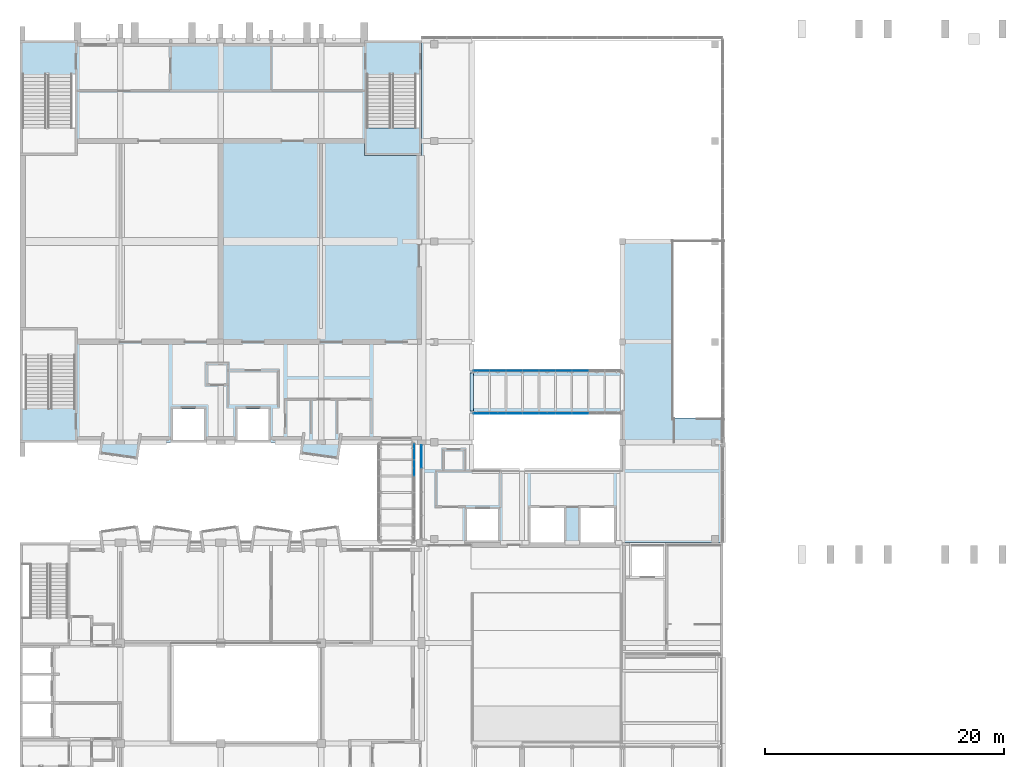
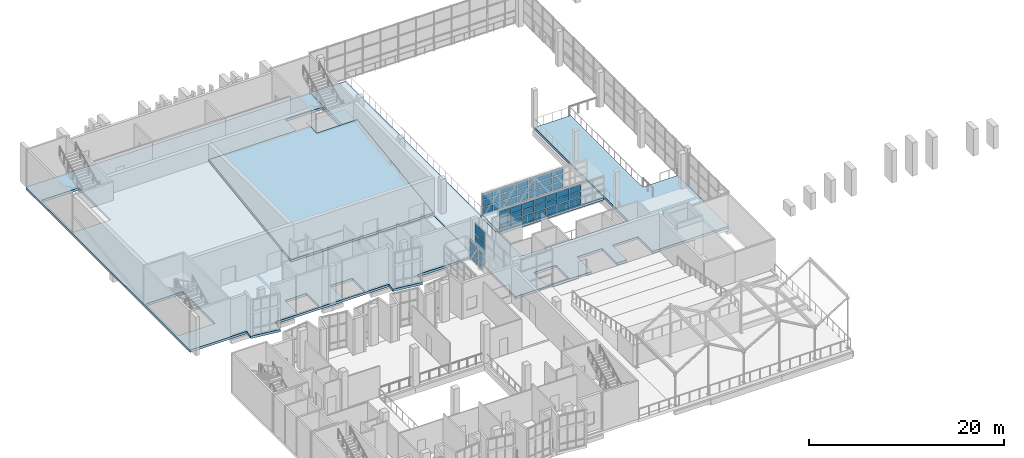
# One storey, part 33 of 67: 52 plates, 5 slabs, 5 elements without a shape of their own.
"""IFC4 building model written with IfcOpenShell, lengths in metres."""

from ifc_helpers import new_model, si_unit, direction, frame, origin, origin_2d, place, context, subcontext, project, spatial, polyline, rectangle, outline, extrude, material, layer, layer_set, type_object, element, aggregate, save


model = new_model("IFC4")

# Units and contexts
model_context = context("Model", 3, precision=1e-05, world=origin(), true_north=direction((0.0, 1.0)))
body_context = subcontext(model_context, "Body", "Model", "MODEL_VIEW")
ifc_project = project(units=[si_unit("LENGTHUNIT", "METRE"), si_unit("AREAUNIT", "SQUARE_METRE"), si_unit("VOLUMEUNIT", "CUBIC_METRE"), si_unit("PLANEANGLEUNIT", "RADIAN"), si_unit("MASSUNIT", "GRAM", prefix="KILO")], contexts=[model_context])

# Site, building, storey
site_placement = place(None, origin())
site = spatial("IfcSite", under=ifc_project, at=site_placement, CompositionType="ELEMENT")
building_placement = place(site_placement, origin())
building = spatial("IfcBuilding", under=site, at=building_placement, Name="Kiln Court Media Centre", CompositionType="ELEMENT")
storey_placement = place(building_placement, frame((0.0, 0.0, 19.800048828125)))
storey = spatial("IfcBuildingStorey", under=building, at=storey_placement, Name="L04", CompositionType="ELEMENT", Elevation=19.800048828125)

# Slabs
ifc_material_1 = material(Name="Concrete C30/37", Category="concrete")
ifc_layer_1 = layer(ifc_material_1, 0.300048828125)
ifc_layer_set_1 = layer_set([ifc_layer_1], Name="Concrete C30/37 bridge deck slab 300")
slab_type_1 = type_object("IfcSlabType", Name="Concrete C30/37 bridge deck slab 300", PredefinedType="FLOOR", material=ifc_layer_set_1)
slab_1_placement = place(storey_placement, frame((0.0, 0.0, -0.300048828125)))
element("IfcSlab", 1, at=slab_1_placement, inside=storey, type_object=slab_type_1, Name="bridge BR-L04-FOY-11 deck bridge deck slab", PredefinedType="FLOOR", context=body_context, shape_type="SweptSolid", body=[
    extrude(outline(polyline([(37.89990234375, 36.0), (50.300048828125, 36.0), (50.300048828125, 39.60009765625), (37.89990234375, 39.60009765625), (37.89990234375, 36.0)])), origin(), (0.0, 0.0, 1.0), 0.300048828125),
])
ifc_material_2 = material(Name="Concrete C30/37", Category="concrete")
ifc_layer_2 = layer(ifc_material_2, 0.300048828125)
ifc_layer_set_2 = layer_set([ifc_layer_2], Name="Concrete C30/37 floor slab 300")
slab_type_2 = type_object("IfcSlabType", Name="Concrete C30/37 floor slab 300", PredefinedType="FLOOR", material=ifc_layer_set_2)
slab_2_placement = place(storey_placement, frame((0.0, 0.0, -0.300048828125)))
element("IfcSlab", 2, at=slab_2_placement, inside=storey, type_object=slab_type_2, Name="L04-SL-1001", PredefinedType="FLOOR", context=body_context, shape_type="SweptSolid", body=[
    extrude(outline(polyline([(9.866943359375, 32.181396484375), (6.598876953125, 32.640869140625), (6.733154296875, 33.599609375), (0.0, 33.60009765625), (0.0, 67.199951171875), (33.60009765625, 67.199951171875), (33.60009765625, 33.60009765625), (26.86669921875, 33.599609375), (26.6669921875, 32.181396484375), (23.39892578125, 32.640869140625), (23.533203125, 33.599609375), (10.066650390625, 33.599609375), (9.866943359375, 32.181396484375)]), holes=[polyline([(12.800048828125, 33.800048828125), (15.39990234375, 33.800048828125), (15.39990234375, 36.39990234375), (12.800048828125, 36.39990234375), (12.800048828125, 33.800048828125)]), polyline([(18.199951171875, 33.800048828125), (20.800048828125, 33.800048828125), (20.800048828125, 36.39990234375), (18.199951171875, 36.39990234375), (18.199951171875, 33.800048828125)]), polyline([(0.199951171875, 36.43994140625), (4.60009765625, 36.43994140625), (4.60009765625, 43.0), (0.199951171875, 43.0), (0.199951171875, 36.43994140625)]), polyline([(0.199951171875, 57.800048828125), (4.60009765625, 57.800048828125), (4.60009765625, 64.360107421875), (0.199951171875, 64.360107421875), (0.199951171875, 57.800048828125)]), polyline([(29.0, 57.800048828125), (33.39990234375, 57.800048828125), (33.39990234375, 64.360107421875), (29.0, 64.360107421875), (29.0, 57.800048828125)])]), origin(), (0.0, 0.0, 1.0), 0.300048828125),
])
slab_3_placement = place(storey_placement, frame((0.0, 0.0, -0.300048828125)))
element("IfcSlab", 3, at=slab_3_placement, inside=storey, type_object=slab_type_2, Name="L04-SL-1002", PredefinedType="FLOOR", context=body_context, shape_type="SweptSolid", body=[
    extrude(outline(polyline([(33.60009765625, 25.199951171875), (33.60009765625, 67.199951171875), (37.800048828125, 67.199951171875), (37.800048828125, 31.199951171875), (50.39990234375, 31.199951171875), (50.39990234375, 50.39990234375), (54.64990234375, 50.39990234375), (54.64990234375, 35.639892578125), (58.800048828125, 35.639892578125), (58.800048828125, 25.199951171875), (49.800048828125, 25.199951171875), (49.800048828125, 28.199951171875), (46.800048828125, 28.199951171875), (46.800048828125, 25.199951171875), (45.60009765625, 25.199951171875), (45.60009765625, 28.199951171875), (42.60009765625, 28.199951171875), (42.60009765625, 25.199951171875), (33.60009765625, 25.199951171875)]), holes=[polyline([(37.39990234375, 25.39990234375), (40.0, 25.39990234375), (40.0, 28.0), (37.39990234375, 28.0), (37.39990234375, 25.39990234375)])]), origin(), (0.0, 0.0, 1.0), 0.300048828125),
])
ifc_material_3 = material(Name="Concrete C30/37", Category="concrete")
ifc_layer_3 = layer(ifc_material_3, 0.300048828125)
ifc_layer_set_3 = layer_set([ifc_layer_3], Name="Concrete C30/37 raked slab 300")
slab_type_3 = type_object("IfcSlabType", Name="Concrete C30/37 raked slab 300", PredefinedType="FLOOR", material=ifc_layer_set_3)
slab_4_placement = place(storey_placement, frame((16.800048828125, 42.0, 0.300048828125), z_axis=(-3.04345e-07, -0.138636440673, 0.990343343148), x_axis=(0.0, 0.990343343148, 0.138636440673)))
element("IfcSlab", 4, at=slab_4_placement, inside=storey, type_object=slab_type_3, Name="L04-SL-1016", PredefinedType="FLOOR", context=body_context, shape_type="SweptSolid", body=[
    extrude(outline(polyline([(0.0, 0.0), (16.963862623302024, -1.0587911840678754e-22), (16.963862623301395, -11.999999999999446), (15.752212378488078, -12.000000000002494), (15.752212378487826, -16.800048828127277), (-8.806321262848273e-13, -16.800048828124226), (0.0, 0.0)])), origin(), (0.0, 0.0, -1.0), 0.300048828125),
])

# Stair, slab
ifc_material_4 = material(Name="Concrete C40/50", Category="concrete")
stair_type = type_object("IfcStairType", Name="Concrete C40/50 dog-leg stair 2000 wide, 150 riser", PredefinedType="HALF_TURN_STAIR", material=ifc_material_4)
stair_placement = place(storey_placement, origin())
stair = element("IfcStair", 5, at=stair_placement, inside=storey, type_object=stair_type, Name="ST-08 L04", PredefinedType="HALF_TURN_STAIR")
ifc_material_5 = material(Name="Concrete C40/50", Category="concrete")
ifc_layer_4 = layer(ifc_material_5, 0.199951171875)
ifc_layer_set_4 = layer_set([ifc_layer_4], Name="Concrete C40/50 stair landing 200")
slab_type_4 = type_object("IfcSlabType", Name="Concrete C40/50 stair landing 200", PredefinedType="LANDING", material=ifc_layer_set_4)
slab_5_placement = place(storey_placement, frame((0.0, 0.0, 2.199951171875)))
slab_5 = element("IfcSlab", 6, at=slab_5_placement, type_object=slab_type_4, Name="L04-ST-5005 landing 5005", PredefinedType="LANDING", context=body_context, shape_type="SweptSolid", body=[
    extrude(outline(polyline([(28.8798828125, 59.89990234375), (28.8798828125, 57.679931640625), (33.52001953125, 57.679931640625), (33.52001953125, 59.89990234375), (28.8798828125, 59.89990234375)])), origin(), (0.0, 0.0, 1.0), 0.199951171875),
])
aggregate(stair, [slab_5])

# Curtain wall, plates
ifc_material_6 = material(Name="Aluminium 6063-T6", Category="aluminium")
ifc_layer_5 = layer(ifc_material_6, 0.1201171875)
ifc_layer_set_5 = layer_set([ifc_layer_5], Name="Aluminium unitised curtain wall, bridge")
curtain_wall_type_1 = type_object("IfcCurtainWallType", Name="Aluminium unitised curtain wall, bridge", PredefinedType="USERDEFINED", material=ifc_layer_set_5)
curtain_wall_1_placement = place(storey_placement, origin())
curtain_wall_1 = element("IfcCurtainWall", 7, at=curtain_wall_1_placement, inside=storey, type_object=curtain_wall_type_1, Name="BR-2 side glazing", ObjectType="UNITISED CURTAIN WALL", PredefinedType="USERDEFINED")
ifc_material_7 = material(Name="Aluminium insulated spandrel", Category="aluminium")
ifc_layer_6 = layer(ifc_material_7, 0.028076171875)
ifc_layer_set_6 = layer_set([ifc_layer_6], Name="Insulated aluminium spandrel panel 28")
plate_type_1 = type_object("IfcPlateType", Name="Insulated aluminium spandrel panel 28", PredefinedType="CURTAIN_PANEL", material=ifc_layer_set_6)
plate_1_placement = place(storey_placement, frame((32.985107421875, 31.449951171875, 0.099853515625), z_axis=(0.0, 0.0, 1.0), x_axis=(0.0, 1.0, 0.0)))
plate_1 = element("IfcPlate", 8, at=plate_1_placement, type_object=plate_type_1, Name="CW4-66 panel 5.1", PredefinedType="CURTAIN_PANEL", context=body_context, shape_type="SweptSolid", body=[
    extrude(rectangle(XDim=1.316650390625, YDim=0.028076171875, at=origin_2d()), origin(), (0.0, 0.0, 1.0), 0.74169921875),
])
plate_2_placement = place(storey_placement, frame((32.985107421875, 31.449951171875, 1.833251953125), z_axis=(0.0, 0.0, 1.0), x_axis=(0.0, 1.0, 0.0)))
plate_2 = element("IfcPlate", 9, at=plate_2_placement, type_object=plate_type_1, Name="CW4-66 panel 5.3", PredefinedType="CURTAIN_PANEL", context=body_context, shape_type="SweptSolid", body=[
    extrude(rectangle(XDim=1.316650390625, YDim=0.028076171875, at=origin_2d()), origin(), (0.0, 0.0, 1.0), 0.74169921875),
])
plate_3_placement = place(storey_placement, frame((32.985107421875, 32.80419921875, 0.099853515625), z_axis=(0.0, 0.0, 1.0), x_axis=(0.0, 1.0, 0.0)))
plate_3 = element("IfcPlate", 10, at=plate_3_placement, type_object=plate_type_1, Name="CW4-66 panel 6.1", PredefinedType="CURTAIN_PANEL", context=body_context, shape_type="SweptSolid", body=[
    extrude(rectangle(XDim=1.291748046875, YDim=0.028076171875, at=origin_2d()), origin(), (0.0, 0.0, 1.0), 0.74169921875),
])
plate_4_placement = place(storey_placement, frame((32.985107421875, 32.80419921875, 0.941650390625), z_axis=(0.0, 0.0, 1.0), x_axis=(0.0, 1.0, 0.0)))
plate_4 = element("IfcPlate", 11, at=plate_4_placement, type_object=plate_type_1, Name="CW4-66 panel 6.2", PredefinedType="CURTAIN_PANEL", context=body_context, shape_type="SweptSolid", body=[
    extrude(rectangle(XDim=1.291748046875, YDim=0.028076171875, at=origin_2d()), origin(), (0.0, 0.0, 1.0), 0.79150390625),
])

curtain_wall_2_placement = place(storey_placement, origin())
curtain_wall_2 = element("IfcCurtainWall", 12, at=curtain_wall_2_placement, inside=storey, type_object=curtain_wall_type_1, Name="BR-L04-FOY-11 side glazing", ObjectType="UNITISED CURTAIN WALL", PredefinedType="USERDEFINED")
plate_5_placement = place(storey_placement, frame((38.601318359375, 36.014892578125, 0.099853515625), z_axis=(0.0, 0.0, 1.0), x_axis=(1.0, 0.0, 0.0)))
plate_5 = element("IfcPlate", 13, at=plate_5_placement, type_object=plate_type_1, Name="CW4-67 panel 1.1", PredefinedType="CURTAIN_PANEL", context=body_context, shape_type="SweptSolid", body=[
    extrude(rectangle(XDim=1.302734375, YDim=0.028076171875, at=origin_2d()), origin(), (0.0, 0.0, 1.0), 0.74169921875),
])
plate_6_placement = place(storey_placement, frame((38.601318359375, 36.014892578125, 0.941650390625), z_axis=(0.0, 0.0, 1.0), x_axis=(1.0, 0.0, 0.0)))
plate_6 = element("IfcPlate", 14, at=plate_6_placement, type_object=plate_type_1, Name="CW4-67 panel 1.2", PredefinedType="CURTAIN_PANEL", context=body_context, shape_type="SweptSolid", body=[
    extrude(rectangle(XDim=1.302734375, YDim=0.028076171875, at=origin_2d()), origin(), (0.0, 0.0, 1.0), 0.79150390625),
])
plate_7_placement = place(storey_placement, frame((39.966552734375, 36.014892578125, 0.099853515625), z_axis=(0.0, 0.0, 1.0), x_axis=(1.0, 0.0, 0.0)))
plate_7 = element("IfcPlate", 15, at=plate_7_placement, type_object=plate_type_1, Name="CW4-67 panel 2.1", PredefinedType="CURTAIN_PANEL", context=body_context, shape_type="SweptSolid", body=[
    extrude(rectangle(XDim=1.327880859375, YDim=0.028076171875, at=origin_2d()), origin(), (0.0, 0.0, 1.0), 0.74169921875),
])
plate_8_placement = place(storey_placement, frame((39.966552734375, 36.014892578125, 1.833251953125), z_axis=(0.0, 0.0, 1.0), x_axis=(1.0, 0.0, 0.0)))
plate_8 = element("IfcPlate", 16, at=plate_8_placement, type_object=plate_type_1, Name="CW4-67 panel 2.3", PredefinedType="CURTAIN_PANEL", context=body_context, shape_type="SweptSolid", body=[
    extrude(rectangle(XDim=1.327880859375, YDim=0.028076171875, at=origin_2d()), origin(), (0.0, 0.0, 1.0), 0.74169921875),
])
plate_9_placement = place(storey_placement, frame((41.344482421875, 36.014892578125, 0.099853515625), z_axis=(0.0, 0.0, 1.0), x_axis=(1.0, 0.0, 0.0)))
plate_9 = element("IfcPlate", 17, at=plate_9_placement, type_object=plate_type_1, Name="CW4-67 panel 3.1", PredefinedType="CURTAIN_PANEL", context=body_context, shape_type="SweptSolid", body=[
    extrude(rectangle(XDim=1.327880859375, YDim=0.028076171875, at=origin_2d()), origin(), (0.0, 0.0, 1.0), 0.74169921875),
])
plate_10_placement = place(storey_placement, frame((41.344482421875, 36.014892578125, 0.941650390625), z_axis=(0.0, 0.0, 1.0), x_axis=(1.0, 0.0, 0.0)))
plate_10 = element("IfcPlate", 18, at=plate_10_placement, type_object=plate_type_1, Name="CW4-67 panel 3.2", PredefinedType="CURTAIN_PANEL", context=body_context, shape_type="SweptSolid", body=[
    extrude(rectangle(XDim=1.327880859375, YDim=0.028076171875, at=origin_2d()), origin(), (0.0, 0.0, 1.0), 0.79150390625),
])
plate_11_placement = place(storey_placement, frame((41.344482421875, 36.014892578125, 1.833251953125), z_axis=(0.0, 0.0, 1.0), x_axis=(1.0, 0.0, 0.0)))
plate_11 = element("IfcPlate", 19, at=plate_11_placement, type_object=plate_type_1, Name="CW4-67 panel 3.3", PredefinedType="CURTAIN_PANEL", context=body_context, shape_type="SweptSolid", body=[
    extrude(rectangle(XDim=1.327880859375, YDim=0.028076171875, at=origin_2d()), origin(), (0.0, 0.0, 1.0), 0.74169921875),
])
plate_12_placement = place(storey_placement, frame((42.72216796875, 36.014892578125, 0.099853515625), z_axis=(0.0, 0.0, 1.0), x_axis=(1.0, 0.0, 0.0)))
plate_12 = element("IfcPlate", 20, at=plate_12_placement, type_object=plate_type_1, Name="CW4-67 panel 4.1", PredefinedType="CURTAIN_PANEL", context=body_context, shape_type="SweptSolid", body=[
    extrude(rectangle(XDim=1.327880859375, YDim=0.028076171875, at=origin_2d()), origin(), (0.0, 0.0, 1.0), 0.74169921875),
])
plate_13_placement = place(storey_placement, frame((42.72216796875, 36.014892578125, 0.941650390625), z_axis=(0.0, 0.0, 1.0), x_axis=(1.0, 0.0, 0.0)))
plate_13 = element("IfcPlate", 21, at=plate_13_placement, type_object=plate_type_1, Name="CW4-67 panel 4.2", PredefinedType="CURTAIN_PANEL", context=body_context, shape_type="SweptSolid", body=[
    extrude(rectangle(XDim=1.327880859375, YDim=0.028076171875, at=origin_2d()), origin(), (0.0, 0.0, 1.0), 0.79150390625),
])
plate_14_placement = place(storey_placement, frame((44.10009765625, 36.014892578125, 0.099853515625), z_axis=(0.0, 0.0, 1.0), x_axis=(1.0, 0.0, 0.0)))
plate_14 = element("IfcPlate", 22, at=plate_14_placement, type_object=plate_type_1, Name="CW4-67 panel 5.1", PredefinedType="CURTAIN_PANEL", context=body_context, shape_type="SweptSolid", body=[
    extrude(rectangle(XDim=1.327880859375, YDim=0.028076171875, at=origin_2d()), origin(), (0.0, 0.0, 1.0), 0.74169921875),
])
plate_15_placement = place(storey_placement, frame((44.10009765625, 36.014892578125, 1.833251953125), z_axis=(0.0, 0.0, 1.0), x_axis=(1.0, 0.0, 0.0)))
plate_15 = element("IfcPlate", 23, at=plate_15_placement, type_object=plate_type_1, Name="CW4-67 panel 5.3", PredefinedType="CURTAIN_PANEL", context=body_context, shape_type="SweptSolid", body=[
    extrude(rectangle(XDim=1.327880859375, YDim=0.028076171875, at=origin_2d()), origin(), (0.0, 0.0, 1.0), 0.74169921875),
])
plate_16_placement = place(storey_placement, frame((45.477783203125, 36.014892578125, 0.099853515625), z_axis=(0.0, 0.0, 1.0), x_axis=(1.0, 0.0, 0.0)))
plate_16 = element("IfcPlate", 24, at=plate_16_placement, type_object=plate_type_1, Name="CW4-67 panel 6.1", PredefinedType="CURTAIN_PANEL", context=body_context, shape_type="SweptSolid", body=[
    extrude(rectangle(XDim=1.327880859375, YDim=0.028076171875, at=origin_2d()), origin(), (0.0, 0.0, 1.0), 0.74169921875),
])
plate_17_placement = place(storey_placement, frame((45.477783203125, 36.014892578125, 0.941650390625), z_axis=(0.0, 0.0, 1.0), x_axis=(1.0, 0.0, 0.0)))
plate_17 = element("IfcPlate", 25, at=plate_17_placement, type_object=plate_type_1, Name="CW4-67 panel 6.2", PredefinedType="CURTAIN_PANEL", context=body_context, shape_type="SweptSolid", body=[
    extrude(rectangle(XDim=1.327880859375, YDim=0.028076171875, at=origin_2d()), origin(), (0.0, 0.0, 1.0), 0.79150390625),
])
plate_18_placement = place(storey_placement, frame((46.85546875, 36.014892578125, 0.099853515625), z_axis=(0.0, 0.0, 1.0), x_axis=(1.0, 0.0, 0.0)))
plate_18 = element("IfcPlate", 26, at=plate_18_placement, type_object=plate_type_1, Name="CW4-67 panel 7.1", PredefinedType="CURTAIN_PANEL", context=body_context, shape_type="SweptSolid", body=[
    extrude(rectangle(XDim=1.327880859375, YDim=0.028076171875, at=origin_2d()), origin(), (0.0, 0.0, 1.0), 0.74169921875),
])
plate_19_placement = place(storey_placement, frame((46.85546875, 36.014892578125, 0.941650390625), z_axis=(0.0, 0.0, 1.0), x_axis=(1.0, 0.0, 0.0)))
plate_19 = element("IfcPlate", 27, at=plate_19_placement, type_object=plate_type_1, Name="CW4-67 panel 7.2", PredefinedType="CURTAIN_PANEL", context=body_context, shape_type="SweptSolid", body=[
    extrude(rectangle(XDim=1.327880859375, YDim=0.028076171875, at=origin_2d()), origin(), (0.0, 0.0, 1.0), 0.79150390625),
])
plate_20_placement = place(storey_placement, frame((46.85546875, 36.014892578125, 1.833251953125), z_axis=(0.0, 0.0, 1.0), x_axis=(1.0, 0.0, 0.0)))
plate_20 = element("IfcPlate", 28, at=plate_20_placement, type_object=plate_type_1, Name="CW4-67 panel 7.3", PredefinedType="CURTAIN_PANEL", context=body_context, shape_type="SweptSolid", body=[
    extrude(rectangle(XDim=1.327880859375, YDim=0.028076171875, at=origin_2d()), origin(), (0.0, 0.0, 1.0), 0.74169921875),
])

curtain_wall_3_placement = place(storey_placement, origin())
curtain_wall_3 = element("IfcCurtainWall", 29, at=curtain_wall_3_placement, inside=storey, type_object=curtain_wall_type_1, Name="BR-L04-FOY-11 side glazing", ObjectType="UNITISED CURTAIN WALL", PredefinedType="USERDEFINED")
plate_21_placement = place(storey_placement, frame((38.601318359375, 39.5849609375, 0.099853515625), z_axis=(0.0, 0.0, 1.0), x_axis=(1.0, 0.0, 0.0)))
plate_21 = element("IfcPlate", 30, at=plate_21_placement, type_object=plate_type_1, Name="CW4-68 panel 1.1", PredefinedType="CURTAIN_PANEL", context=body_context, shape_type="SweptSolid", body=[
    extrude(rectangle(XDim=1.302734375, YDim=0.028076171875, at=origin_2d()), origin(), (0.0, 0.0, 1.0), 0.74169921875),
])
plate_22_placement = place(storey_placement, frame((38.601318359375, 39.5849609375, 0.941650390625), z_axis=(0.0, 0.0, 1.0), x_axis=(1.0, 0.0, 0.0)))
plate_22 = element("IfcPlate", 31, at=plate_22_placement, type_object=plate_type_1, Name="CW4-68 panel 1.2", PredefinedType="CURTAIN_PANEL", context=body_context, shape_type="SweptSolid", body=[
    extrude(rectangle(XDim=1.302734375, YDim=0.028076171875, at=origin_2d()), origin(), (0.0, 0.0, 1.0), 0.79150390625),
])
plate_23_placement = place(storey_placement, frame((39.966552734375, 39.5849609375, 0.099853515625), z_axis=(0.0, 0.0, 1.0), x_axis=(1.0, 0.0, 0.0)))
plate_23 = element("IfcPlate", 32, at=plate_23_placement, type_object=plate_type_1, Name="CW4-68 panel 2.1", PredefinedType="CURTAIN_PANEL", context=body_context, shape_type="SweptSolid", body=[
    extrude(rectangle(XDim=1.327880859375, YDim=0.028076171875, at=origin_2d()), origin(), (0.0, 0.0, 1.0), 0.74169921875),
])
plate_24_placement = place(storey_placement, frame((39.966552734375, 39.5849609375, 1.833251953125), z_axis=(0.0, 0.0, 1.0), x_axis=(1.0, 0.0, 0.0)))
plate_24 = element("IfcPlate", 33, at=plate_24_placement, type_object=plate_type_1, Name="CW4-68 panel 2.3", PredefinedType="CURTAIN_PANEL", context=body_context, shape_type="SweptSolid", body=[
    extrude(rectangle(XDim=1.327880859375, YDim=0.028076171875, at=origin_2d()), origin(), (0.0, 0.0, 1.0), 0.74169921875),
])
plate_25_placement = place(storey_placement, frame((41.344482421875, 39.5849609375, 0.099853515625), z_axis=(0.0, 0.0, 1.0), x_axis=(1.0, 0.0, 0.0)))
plate_25 = element("IfcPlate", 34, at=plate_25_placement, type_object=plate_type_1, Name="CW4-68 panel 3.1", PredefinedType="CURTAIN_PANEL", context=body_context, shape_type="SweptSolid", body=[
    extrude(rectangle(XDim=1.327880859375, YDim=0.028076171875, at=origin_2d()), origin(), (0.0, 0.0, 1.0), 0.74169921875),
])
plate_26_placement = place(storey_placement, frame((41.344482421875, 39.5849609375, 0.941650390625), z_axis=(0.0, 0.0, 1.0), x_axis=(1.0, 0.0, 0.0)))
plate_26 = element("IfcPlate", 35, at=plate_26_placement, type_object=plate_type_1, Name="CW4-68 panel 3.2", PredefinedType="CURTAIN_PANEL", context=body_context, shape_type="SweptSolid", body=[
    extrude(rectangle(XDim=1.327880859375, YDim=0.028076171875, at=origin_2d()), origin(), (0.0, 0.0, 1.0), 0.79150390625),
])
plate_27_placement = place(storey_placement, frame((41.344482421875, 39.5849609375, 1.833251953125), z_axis=(0.0, 0.0, 1.0), x_axis=(1.0, 0.0, 0.0)))
plate_27 = element("IfcPlate", 36, at=plate_27_placement, type_object=plate_type_1, Name="CW4-68 panel 3.3", PredefinedType="CURTAIN_PANEL", context=body_context, shape_type="SweptSolid", body=[
    extrude(rectangle(XDim=1.327880859375, YDim=0.028076171875, at=origin_2d()), origin(), (0.0, 0.0, 1.0), 0.74169921875),
])
plate_28_placement = place(storey_placement, frame((42.72216796875, 39.5849609375, 0.099853515625), z_axis=(0.0, 0.0, 1.0), x_axis=(1.0, 0.0, 0.0)))
plate_28 = element("IfcPlate", 37, at=plate_28_placement, type_object=plate_type_1, Name="CW4-68 panel 4.1", PredefinedType="CURTAIN_PANEL", context=body_context, shape_type="SweptSolid", body=[
    extrude(rectangle(XDim=1.327880859375, YDim=0.028076171875, at=origin_2d()), origin(), (0.0, 0.0, 1.0), 0.74169921875),
])
plate_29_placement = place(storey_placement, frame((42.72216796875, 39.5849609375, 0.941650390625), z_axis=(0.0, 0.0, 1.0), x_axis=(1.0, 0.0, 0.0)))
plate_29 = element("IfcPlate", 38, at=plate_29_placement, type_object=plate_type_1, Name="CW4-68 panel 4.2", PredefinedType="CURTAIN_PANEL", context=body_context, shape_type="SweptSolid", body=[
    extrude(rectangle(XDim=1.327880859375, YDim=0.028076171875, at=origin_2d()), origin(), (0.0, 0.0, 1.0), 0.79150390625),
])
plate_30_placement = place(storey_placement, frame((44.10009765625, 39.5849609375, 0.099853515625), z_axis=(0.0, 0.0, 1.0), x_axis=(1.0, 0.0, 0.0)))
plate_30 = element("IfcPlate", 39, at=plate_30_placement, type_object=plate_type_1, Name="CW4-68 panel 5.1", PredefinedType="CURTAIN_PANEL", context=body_context, shape_type="SweptSolid", body=[
    extrude(rectangle(XDim=1.327880859375, YDim=0.028076171875, at=origin_2d()), origin(), (0.0, 0.0, 1.0), 0.74169921875),
])
plate_31_placement = place(storey_placement, frame((44.10009765625, 39.5849609375, 1.833251953125), z_axis=(0.0, 0.0, 1.0), x_axis=(1.0, 0.0, 0.0)))
plate_31 = element("IfcPlate", 40, at=plate_31_placement, type_object=plate_type_1, Name="CW4-68 panel 5.3", PredefinedType="CURTAIN_PANEL", context=body_context, shape_type="SweptSolid", body=[
    extrude(rectangle(XDim=1.327880859375, YDim=0.028076171875, at=origin_2d()), origin(), (0.0, 0.0, 1.0), 0.74169921875),
])
plate_32_placement = place(storey_placement, frame((45.477783203125, 39.5849609375, 0.099853515625), z_axis=(0.0, 0.0, 1.0), x_axis=(1.0, 0.0, 0.0)))
plate_32 = element("IfcPlate", 41, at=plate_32_placement, type_object=plate_type_1, Name="CW4-68 panel 6.1", PredefinedType="CURTAIN_PANEL", context=body_context, shape_type="SweptSolid", body=[
    extrude(rectangle(XDim=1.327880859375, YDim=0.028076171875, at=origin_2d()), origin(), (0.0, 0.0, 1.0), 0.74169921875),
])
plate_33_placement = place(storey_placement, frame((45.477783203125, 39.5849609375, 0.941650390625), z_axis=(0.0, 0.0, 1.0), x_axis=(1.0, 0.0, 0.0)))
plate_33 = element("IfcPlate", 42, at=plate_33_placement, type_object=plate_type_1, Name="CW4-68 panel 6.2", PredefinedType="CURTAIN_PANEL", context=body_context, shape_type="SweptSolid", body=[
    extrude(rectangle(XDim=1.327880859375, YDim=0.028076171875, at=origin_2d()), origin(), (0.0, 0.0, 1.0), 0.79150390625),
])
plate_34_placement = place(storey_placement, frame((46.85546875, 39.5849609375, 0.099853515625), z_axis=(0.0, 0.0, 1.0), x_axis=(1.0, 0.0, 0.0)))
plate_34 = element("IfcPlate", 43, at=plate_34_placement, type_object=plate_type_1, Name="CW4-68 panel 7.1", PredefinedType="CURTAIN_PANEL", context=body_context, shape_type="SweptSolid", body=[
    extrude(rectangle(XDim=1.327880859375, YDim=0.028076171875, at=origin_2d()), origin(), (0.0, 0.0, 1.0), 0.74169921875),
])
plate_35_placement = place(storey_placement, frame((46.85546875, 39.5849609375, 0.941650390625), z_axis=(0.0, 0.0, 1.0), x_axis=(1.0, 0.0, 0.0)))
plate_35 = element("IfcPlate", 44, at=plate_35_placement, type_object=plate_type_1, Name="CW4-68 panel 7.2", PredefinedType="CURTAIN_PANEL", context=body_context, shape_type="SweptSolid", body=[
    extrude(rectangle(XDim=1.327880859375, YDim=0.028076171875, at=origin_2d()), origin(), (0.0, 0.0, 1.0), 0.79150390625),
])
plate_36_placement = place(storey_placement, frame((46.85546875, 39.5849609375, 1.833251953125), z_axis=(0.0, 0.0, 1.0), x_axis=(1.0, 0.0, 0.0)))
plate_36 = element("IfcPlate", 45, at=plate_36_placement, type_object=plate_type_1, Name="CW4-68 panel 7.3", PredefinedType="CURTAIN_PANEL", context=body_context, shape_type="SweptSolid", body=[
    extrude(rectangle(XDim=1.327880859375, YDim=0.028076171875, at=origin_2d()), origin(), (0.0, 0.0, 1.0), 0.74169921875),
])

ifc_material_8 = material(Name="Aluminium 6063-T6", Category="aluminium")
ifc_layer_7 = layer(ifc_material_8, 0.1201171875)
ifc_layer_set_7 = layer_set([ifc_layer_7], Name="Aluminium stick curtain wall, gallery")
curtain_wall_type_2 = type_object("IfcCurtainWallType", Name="Aluminium stick curtain wall, gallery", PredefinedType="USERDEFINED", material=ifc_layer_set_7)
curtain_wall_4_placement = place(storey_placement, origin())
curtain_wall_4 = element("IfcCurtainWall", 46, at=curtain_wall_4_placement, inside=storey, type_object=curtain_wall_type_2, Name="Foyer west glazing L04", ObjectType="STICK CURTAIN WALL", PredefinedType="USERDEFINED")
ifc_material_9 = material(Name="Aluminium insulated spandrel", Category="aluminium")
ifc_layer_8 = layer(ifc_material_9, 0.033935546875)
ifc_layer_set_8 = layer_set([ifc_layer_8], Name="Insulated aluminium spandrel panel 34")
plate_type_2 = type_object("IfcPlateType", Name="Insulated aluminium spandrel panel 34", PredefinedType="CURTAIN_PANEL", material=ifc_layer_set_8)
plate_37_placement = place(storey_placement, frame((33.60009765625, 32.3974609375, 0.14013671875), z_axis=(0.0, 0.0, 1.0), x_axis=(0.0, 1.0, 0.0)))
plate_37 = element("IfcPlate", 47, at=plate_37_placement, type_object=plate_type_2, Name="CW4-64 panel 4.1", PredefinedType="CURTAIN_PANEL", context=body_context, shape_type="SweptSolid", body=[
    extrude(rectangle(XDim=1.885009765625, YDim=0.033935546875, at=origin_2d()), origin(), (0.0, 0.0, 1.0), 1.239990234375),
])
plate_38_placement = place(storey_placement, frame((33.60009765625, 32.3974609375, 1.52001953125), z_axis=(0.0, 0.0, 1.0), x_axis=(0.0, 1.0, 0.0)))
plate_38 = element("IfcPlate", 48, at=plate_38_placement, type_object=plate_type_2, Name="CW4-64 panel 4.2", PredefinedType="CURTAIN_PANEL", context=body_context, shape_type="SweptSolid", body=[
    extrude(rectangle(XDim=1.885009765625, YDim=0.033935546875, at=origin_2d()), origin(), (0.0, 0.0, 1.0), 1.31005859375),
])

# Plate
ifc_material_10 = material(Name="Laminated low-E glazing", Category="glass")
ifc_layer_9 = layer(ifc_material_10, 0.028076171875)
ifc_layer_set_9 = layer_set([ifc_layer_9], Name="Laminated low-E glazed panel 28")
plate_type_3 = type_object("IfcPlateType", Name="Laminated low-E glazed panel 28", PredefinedType="CURTAIN_PANEL", material=ifc_layer_set_9)
plate_39_placement = place(storey_placement, frame((32.985107421875, 31.449951171875, 0.941650390625), z_axis=(0.0, 0.0, 1.0), x_axis=(0.0, 1.0, 0.0)))
plate_39 = element("IfcPlate", 49, at=plate_39_placement, type_object=plate_type_3, Name="CW4-66 panel 5.2", PredefinedType="CURTAIN_PANEL", context=body_context, shape_type="SweptSolid", body=[
    extrude(rectangle(XDim=1.316650390625, YDim=0.028076171875, at=origin_2d()), origin(), (0.0, 0.0, 1.0), 0.79150390625),
])

plate_40_placement = place(storey_placement, frame((32.985107421875, 32.80419921875, 1.833251953125), z_axis=(0.0, 0.0, 1.0), x_axis=(0.0, 1.0, 0.0)))
plate_40 = element("IfcPlate", 50, at=plate_40_placement, type_object=plate_type_3, Name="CW4-66 panel 6.3", PredefinedType="CURTAIN_PANEL", context=body_context, shape_type="SweptSolid", body=[
    extrude(rectangle(XDim=1.291748046875, YDim=0.028076171875, at=origin_2d()), origin(), (0.0, 0.0, 1.0), 0.74169921875),
])

aggregate(curtain_wall_1, [plate_1, plate_39, plate_2, plate_3, plate_4, plate_40])

plate_41_placement = place(storey_placement, frame((38.601318359375, 36.014892578125, 1.833251953125), z_axis=(0.0, 0.0, 1.0), x_axis=(1.0, 0.0, 0.0)))
plate_41 = element("IfcPlate", 51, at=plate_41_placement, type_object=plate_type_3, Name="CW4-67 panel 1.3", PredefinedType="CURTAIN_PANEL", context=body_context, shape_type="SweptSolid", body=[
    extrude(rectangle(XDim=1.302734375, YDim=0.028076171875, at=origin_2d()), origin(), (0.0, 0.0, 1.0), 0.74169921875),
])

plate_42_placement = place(storey_placement, frame((39.966552734375, 36.014892578125, 0.941650390625), z_axis=(0.0, 0.0, 1.0), x_axis=(1.0, 0.0, 0.0)))
plate_42 = element("IfcPlate", 52, at=plate_42_placement, type_object=plate_type_3, Name="CW4-67 panel 2.2", PredefinedType="CURTAIN_PANEL", context=body_context, shape_type="SweptSolid", body=[
    extrude(rectangle(XDim=1.327880859375, YDim=0.028076171875, at=origin_2d()), origin(), (0.0, 0.0, 1.0), 0.79150390625),
])

plate_43_placement = place(storey_placement, frame((42.72216796875, 36.014892578125, 1.833251953125), z_axis=(0.0, 0.0, 1.0), x_axis=(1.0, 0.0, 0.0)))
plate_43 = element("IfcPlate", 53, at=plate_43_placement, type_object=plate_type_3, Name="CW4-67 panel 4.3", PredefinedType="CURTAIN_PANEL", context=body_context, shape_type="SweptSolid", body=[
    extrude(rectangle(XDim=1.327880859375, YDim=0.028076171875, at=origin_2d()), origin(), (0.0, 0.0, 1.0), 0.74169921875),
])

plate_44_placement = place(storey_placement, frame((44.10009765625, 36.014892578125, 0.941650390625), z_axis=(0.0, 0.0, 1.0), x_axis=(1.0, 0.0, 0.0)))
plate_44 = element("IfcPlate", 54, at=plate_44_placement, type_object=plate_type_3, Name="CW4-67 panel 5.2", PredefinedType="CURTAIN_PANEL", context=body_context, shape_type="SweptSolid", body=[
    extrude(rectangle(XDim=1.327880859375, YDim=0.028076171875, at=origin_2d()), origin(), (0.0, 0.0, 1.0), 0.79150390625),
])

plate_45_placement = place(storey_placement, frame((45.477783203125, 36.014892578125, 1.833251953125), z_axis=(0.0, 0.0, 1.0), x_axis=(1.0, 0.0, 0.0)))
plate_45 = element("IfcPlate", 55, at=plate_45_placement, type_object=plate_type_3, Name="CW4-67 panel 6.3", PredefinedType="CURTAIN_PANEL", context=body_context, shape_type="SweptSolid", body=[
    extrude(rectangle(XDim=1.327880859375, YDim=0.028076171875, at=origin_2d()), origin(), (0.0, 0.0, 1.0), 0.74169921875),
])

aggregate(curtain_wall_2, [plate_5, plate_6, plate_41, plate_7, plate_42, plate_8, plate_9, plate_10, plate_11, plate_12, plate_13, plate_43, plate_14, plate_44, plate_15, plate_16, plate_17, plate_45, plate_18, plate_19, plate_20])

plate_46_placement = place(storey_placement, frame((38.601318359375, 39.5849609375, 1.833251953125), z_axis=(0.0, 0.0, 1.0), x_axis=(1.0, 0.0, 0.0)))
plate_46 = element("IfcPlate", 56, at=plate_46_placement, type_object=plate_type_3, Name="CW4-68 panel 1.3", PredefinedType="CURTAIN_PANEL", context=body_context, shape_type="SweptSolid", body=[
    extrude(rectangle(XDim=1.302734375, YDim=0.028076171875, at=origin_2d()), origin(), (0.0, 0.0, 1.0), 0.74169921875),
])

plate_47_placement = place(storey_placement, frame((39.966552734375, 39.5849609375, 0.941650390625), z_axis=(0.0, 0.0, 1.0), x_axis=(1.0, 0.0, 0.0)))
plate_47 = element("IfcPlate", 57, at=plate_47_placement, type_object=plate_type_3, Name="CW4-68 panel 2.2", PredefinedType="CURTAIN_PANEL", context=body_context, shape_type="SweptSolid", body=[
    extrude(rectangle(XDim=1.327880859375, YDim=0.028076171875, at=origin_2d()), origin(), (0.0, 0.0, 1.0), 0.79150390625),
])

plate_48_placement = place(storey_placement, frame((42.72216796875, 39.5849609375, 1.833251953125), z_axis=(0.0, 0.0, 1.0), x_axis=(1.0, 0.0, 0.0)))
plate_48 = element("IfcPlate", 58, at=plate_48_placement, type_object=plate_type_3, Name="CW4-68 panel 4.3", PredefinedType="CURTAIN_PANEL", context=body_context, shape_type="SweptSolid", body=[
    extrude(rectangle(XDim=1.327880859375, YDim=0.028076171875, at=origin_2d()), origin(), (0.0, 0.0, 1.0), 0.74169921875),
])

plate_49_placement = place(storey_placement, frame((44.10009765625, 39.5849609375, 0.941650390625), z_axis=(0.0, 0.0, 1.0), x_axis=(1.0, 0.0, 0.0)))
plate_49 = element("IfcPlate", 59, at=plate_49_placement, type_object=plate_type_3, Name="CW4-68 panel 5.2", PredefinedType="CURTAIN_PANEL", context=body_context, shape_type="SweptSolid", body=[
    extrude(rectangle(XDim=1.327880859375, YDim=0.028076171875, at=origin_2d()), origin(), (0.0, 0.0, 1.0), 0.79150390625),
])

plate_50_placement = place(storey_placement, frame((45.477783203125, 39.5849609375, 1.833251953125), z_axis=(0.0, 0.0, 1.0), x_axis=(1.0, 0.0, 0.0)))
plate_50 = element("IfcPlate", 60, at=plate_50_placement, type_object=plate_type_3, Name="CW4-68 panel 6.3", PredefinedType="CURTAIN_PANEL", context=body_context, shape_type="SweptSolid", body=[
    extrude(rectangle(XDim=1.327880859375, YDim=0.028076171875, at=origin_2d()), origin(), (0.0, 0.0, 1.0), 0.74169921875),
])

aggregate(curtain_wall_3, [plate_21, plate_22, plate_46, plate_23, plate_47, plate_24, plate_25, plate_26, plate_27, plate_28, plate_29, plate_48, plate_30, plate_49, plate_31, plate_32, plate_33, plate_50, plate_34, plate_35, plate_36])

ifc_material_11 = material(Name="Laminated low-E glazing", Category="glass")
ifc_layer_10 = layer(ifc_material_11, 0.033935546875)
ifc_layer_set_10 = layer_set([ifc_layer_10], Name="Laminated low-E glazed panel 34")
plate_type_4 = type_object("IfcPlateType", Name="Laminated low-E glazed panel 34", PredefinedType="CURTAIN_PANEL", material=ifc_layer_set_10)
plate_51_placement = place(storey_placement, frame((33.60009765625, 32.3974609375, 2.9697265625), z_axis=(0.0, 0.0, 1.0), x_axis=(0.0, 1.0, 0.0)))
plate_51 = element("IfcPlate", 61, at=plate_51_placement, type_object=plate_type_4, Name="CW4-64 panel 4.3", PredefinedType="CURTAIN_PANEL", context=body_context, shape_type="SweptSolid", body=[
    extrude(rectangle(XDim=1.885009765625, YDim=0.033935546875, at=origin_2d()), origin(), (0.0, 0.0, 1.0), 1.239990234375),
])

aggregate(curtain_wall_4, [plate_37, plate_38, plate_51])

ifc_material_12 = material(Name="Steel ASTM A572 Gr 50", Category="steel")
ifc_layer_11 = layer(ifc_material_12, 0.010009765625)
ifc_layer_set_11 = layer_set([ifc_layer_11], Name="Steel ASTM A572 Gr 50 300x3200x10 movement joint cover plate")
plate_type_5 = type_object("IfcPlateType", Name="Steel ASTM A572 Gr 50 300x3200x10 movement joint cover plate", PredefinedType="USERDEFINED", material=ifc_layer_set_11)
plate_52_placement = place(storey_placement, frame((37.800048828125, 37.800048828125, -0.001953125), z_axis=(0.0, 0.0, 1.0), x_axis=(1.0, 0.0, 0.0)))
element("IfcPlate", 62, at=plate_52_placement, inside=storey, type_object=plate_type_5, Name="bridge BR-L04-FOY-11 joint 1 movement joint cover plate", ObjectType="MOVEMENT JOINT COVER PLATE", PredefinedType="USERDEFINED", context=body_context, shape_type="SweptSolid", body=[
    extrude(rectangle(XDim=0.300048828125, YDim=3.199951171875, at=origin_2d()), origin(), (0.0, 0.0, 1.0), 0.010009765625),
])

save(model, "model.ifc")
